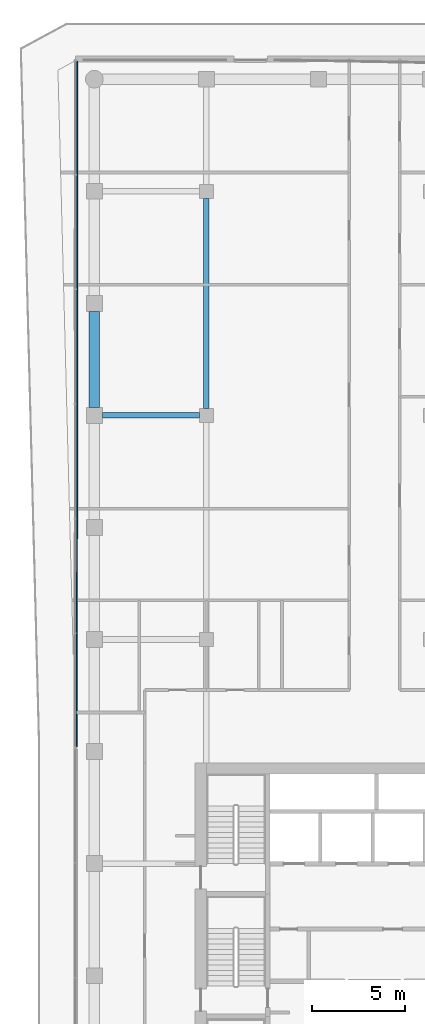
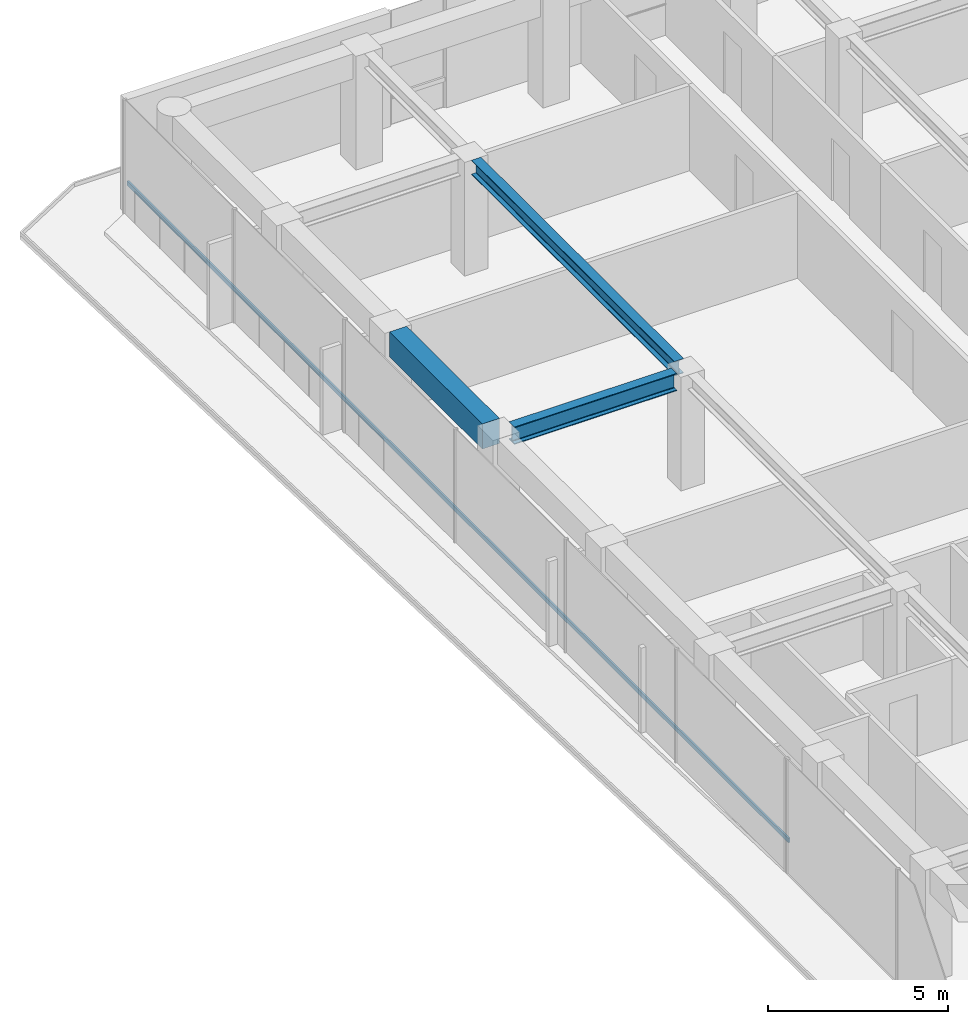
# One storey, part 10 of 20: 3 beams, 1 member, 1 element without a shape of its own.
"""IFC4 building model written with IfcOpenShell, lengths in metres."""

from ifc_helpers import new_model, si_unit, direction, frame, origin, origin_2d, place, context, subcontext, project, spatial, rectangle, i_section, extrude, material, layer, layer_set, material_profile, profile_set, type_object, element, aggregate, save


model = new_model("IFC4")

# Units and contexts
model_context = context("Model", 3, precision=1e-05, world=origin(), true_north=direction((0.0, 1.0)))
body_context = subcontext(model_context, "Body", "Model", "MODEL_VIEW")
ifc_project = project(units=[si_unit("LENGTHUNIT", "METRE"), si_unit("AREAUNIT", "SQUARE_METRE"), si_unit("VOLUMEUNIT", "CUBIC_METRE"), si_unit("PLANEANGLEUNIT", "RADIAN"), si_unit("MASSUNIT", "GRAM", prefix="KILO")], contexts=[model_context])

# Site, building, storey
site_placement = place(None, origin())
site = spatial("IfcSite", under=ifc_project, at=site_placement, CompositionType="ELEMENT")
building_placement = place(site_placement, origin())
building = spatial("IfcBuilding", under=site, at=building_placement, Name="Welwitschia Terrace Campus", CompositionType="ELEMENT")
storey_placement = place(building_placement, frame((0.0, 0.0, 176.0)))
storey = spatial("IfcBuildingStorey", under=building, at=storey_placement, Name="L39", CompositionType="ELEMENT", Elevation=176.0)

# Beams
ifc_material_1 = material(Name="Steel S355", Category="steel")
ifc_material_profile_1 = material_profile(ifc_material_1, i_section(OverallWidth=0.300048828125, OverallDepth=0.489990234375, WebThickness=0.011962890625, FlangeThickness=0.02294921875, FilletRadius=0.027099609375, at=origin_2d()))
ifc_profile_set_1 = profile_set([ifc_material_profile_1], Name="Steel S355")
beam_type_1 = type_object("IfcBeamType", Name="Interior girder HE 500 A", PredefinedType="BEAM", material=ifc_profile_set_1)
beam_1_placement = place(storey_placement, frame((6.0, 44.37548828125, 3.60498046875), z_axis=(0.0, 1.0, 0.0), x_axis=(-1.0, 0.0, 0.0)))
element("IfcBeam", 1, at=beam_1_placement, inside=storey, type_object=beam_type_1, Name="Girder GB4", PredefinedType="BEAM", context=body_context, shape_type="SweptSolid", body=[
    extrude(i_section(OverallWidth=0.300048828125, OverallDepth=0.489990234375, WebThickness=0.011962890625, FlangeThickness=0.02294921875, FilletRadius=0.027099609375, at=origin_2d()), origin(), (0.0, 0.0, 1.0), 11.2490234375),
])
ifc_material_2 = material(Name="Steel S355", Category="steel")
ifc_material_profile_2 = material_profile(ifc_material_2, i_section(OverallWidth=0.300048828125, OverallDepth=0.590087890625, WebThickness=0.012939453125, FlangeThickness=0.02490234375, FilletRadius=0.027099609375, at=origin_2d()))
ifc_profile_set_2 = profile_set([ifc_material_profile_2], Name="Steel S355")
beam_type_2 = type_object("IfcBeamType", Name="Primary beam HE 600 A", PredefinedType="BEAM", material=ifc_profile_set_2)
beam_2_placement = place(storey_placement, frame((0.425537109375, 44.0, 3.554931640625), z_axis=(1.0, 0.0, 0.0), x_axis=(0.0, 1.0, 0.0)))
element("IfcBeam", 2, at=beam_2_placement, inside=storey, type_object=beam_type_2, Name="Primary beam PB4", PredefinedType="BEAM", context=body_context, shape_type="SweptSolid", body=[
    extrude(i_section(OverallWidth=0.300048828125, OverallDepth=0.590087890625, WebThickness=0.012939453125, FlangeThickness=0.02490234375, FilletRadius=0.027099609375, at=origin_2d()), origin(), (0.0, 0.0, 1.0), 5.198974609375),
])
ifc_material_3 = material(Name="Concrete C50/60", Category="concrete")
ifc_material_profile_3 = material_profile(ifc_material_3, rectangle(XDim=0.550048828125, YDim=0.85009765625, at=origin_2d()))
ifc_profile_set_3 = profile_set([ifc_material_profile_3], Name="Concrete C50/60")
beam_type_3 = type_object("IfcBeamType", Name="Ring spandrel 550x850", PredefinedType="SPANDREL", material=ifc_profile_set_3)
beam_3_placement = place(storey_placement, frame((0.0, 49.574462890625, 3.425048828125), z_axis=(0.0, -1.0, 0.0), x_axis=(1.0, 0.0, 0.0)))
element("IfcBeam", 3, at=beam_3_placement, inside=storey, type_object=beam_type_3, Name="Spandrel SP3", PredefinedType="SPANDREL", context=body_context, shape_type="SweptSolid", body=[
    extrude(rectangle(XDim=0.550048828125, YDim=0.85009765625, at=origin_2d()), origin(), (0.0, 0.0, 1.0), 5.14892578125),
])

# Curtain wall, member
ifc_material_4 = material(Name="Bronze anodised aluminium", Category="aluminium")
ifc_layer = layer(ifc_material_4, 0.1201171875)
ifc_layer_set = layer_set([ifc_layer], Name="Bronze anodised aluminium")
curtain_wall_type = type_object("IfcCurtainWallType", Name="Curtain wall CW2 tower 6000", PredefinedType="NOTDEFINED", material=ifc_layer_set)
curtain_wall_placement = place(storey_placement, origin())
curtain_wall = element("IfcCurtainWall", 4, at=curtain_wall_placement, inside=storey, type_object=curtain_wall_type, Name="CW L39.12.0", PredefinedType="NOTDEFINED")
ifc_material_5 = material(Name="Bronze anodised aluminium", Category="aluminium")
ifc_material_profile_4 = material_profile(ifc_material_5, rectangle(XDim=0.06005859375, YDim=0.14990234375, at=origin_2d()))
ifc_profile_set_4 = profile_set([ifc_material_profile_4], Name="Bronze anodised aluminium")
member_type = type_object("IfcMemberType", Name="Transom 60x150", PredefinedType="USERDEFINED", material=ifc_profile_set_4)
member_placement = place(storey_placement, frame((-0.917724609375, 62.969970703125, 1.0), z_axis=(-0.000605153671, -0.999999816895, 0.0), x_axis=(0.999999816895, -0.000605153671, 0.0)))
member = element("IfcMember", 5, at=member_placement, type_object=member_type, Name="Transom L39.12.0", ObjectType="TRANSOM", PredefinedType="USERDEFINED", context=body_context, shape_type="SweptSolid", body=[
    extrude(rectangle(XDim=0.06005859375, YDim=0.14990234375, at=origin_2d()), origin(), (0.0, 0.0, 1.0), 36.712646484375),
])
aggregate(curtain_wall, [member])

save(model, "model.ifc")
